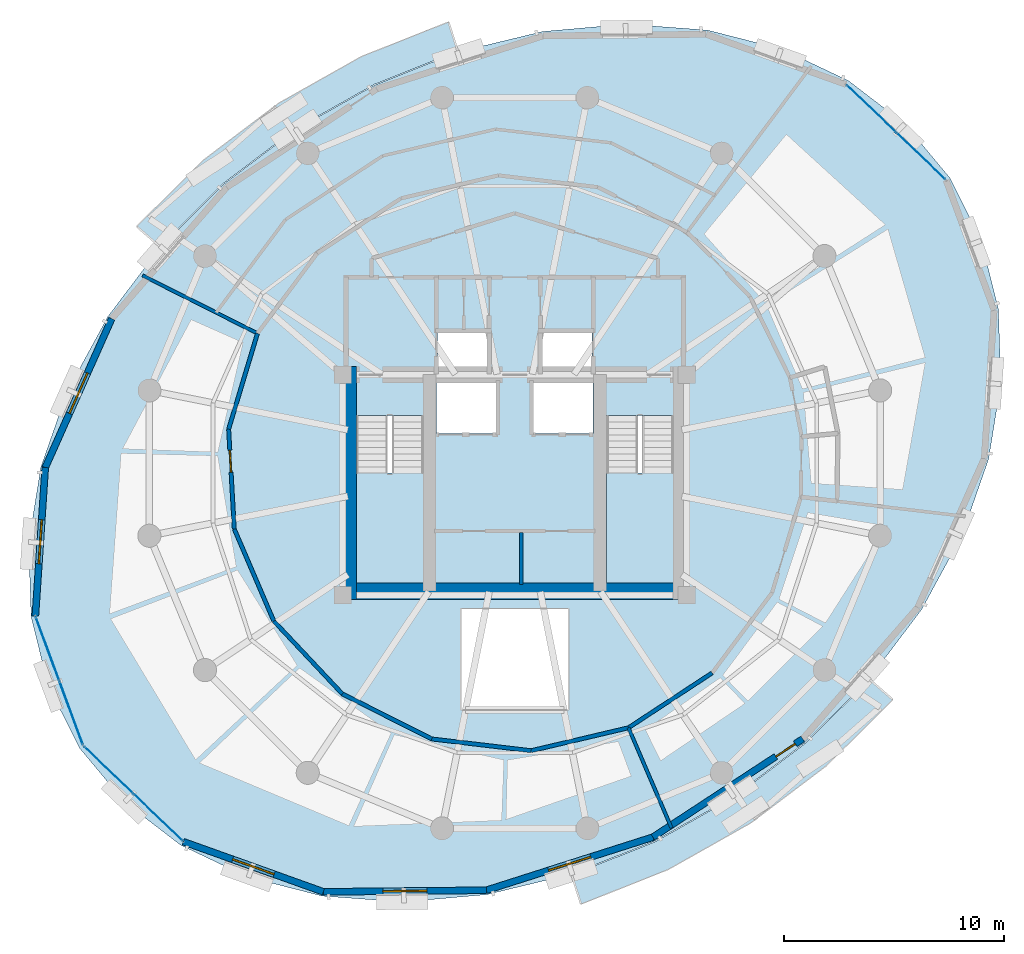
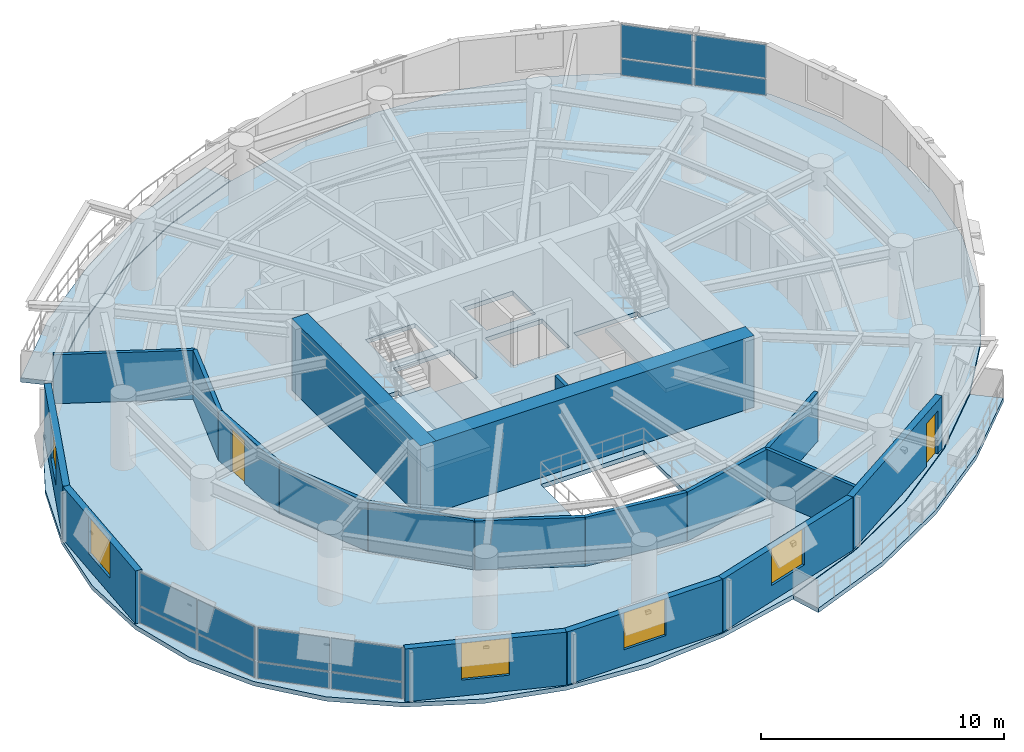
# One storey, part 7 of 12: 19 walls, 12 plates, 5 slabs, 5 windows, 2 doors, 7 openings, 5 elements without a shape of their own.
"""IFC4 building model written with IfcOpenShell, lengths in metres."""

from ifc_helpers import new_model, si_unit, direction, frame, frame_2d, origin, origin_2d, place, context, subcontext, project, spatial, polyline, rectangle, outline, extrude, material, layer, layer_set, type_object, element, fill, aggregate, save


model = new_model("IFC4")

# Units and contexts
model_context = context("Model", 3, precision=1e-05, world=origin(), true_north=direction((0.0, 1.0)))
body_context = subcontext(model_context, "Body", "Model", "MODEL_VIEW")
ifc_project = project(units=[si_unit("LENGTHUNIT", "METRE"), si_unit("AREAUNIT", "SQUARE_METRE"), si_unit("VOLUMEUNIT", "CUBIC_METRE"), si_unit("PLANEANGLEUNIT", "RADIAN"), si_unit("MASSUNIT", "GRAM", prefix="KILO"), si_unit("THERMODYNAMICTEMPERATUREUNIT", "KELVIN"), si_unit("POWERUNIT", "WATT")], contexts=[model_context])

# Site, building, storey
site_placement = place(None, origin())
site = spatial("IfcSite", under=ifc_project, at=site_placement, CompositionType="ELEMENT")
building_placement = place(site_placement, origin())
building = spatial("IfcBuilding", under=site, at=building_placement, Name="Ocrelia Relay Tower", CompositionType="ELEMENT")
storey_placement = place(building_placement, frame((0.0, 0.0, 173.60009765625)))
storey = spatial("IfcBuildingStorey", under=building, at=storey_placement, Name="L41", CompositionType="ELEMENT", Elevation=173.60009765625)

# Curtain wall, plates
ifc_material_1 = material(Name="Aluminium and solar-control low-E glass", Category="aluminium")
ifc_layer_1 = layer(ifc_material_1, 0.179931640625, Name="Aluminium and solar-control low-E glass")
ifc_layer_set_1 = layer_set([ifc_layer_1], Name="Aluminium and solar-control low-E glass")
curtain_wall_type = type_object("IfcCurtainWallType", Name="CW-SYS-Z3-CLOU", PredefinedType="NOTDEFINED", material=ifc_layer_set_1)
curtain_wall_1_placement = place(storey_placement, origin())
curtain_wall_1 = element("IfcCurtainWall", 1, at=curtain_wall_1_placement, inside=storey, type_object=curtain_wall_type, Name="L41 Elliptical Tower Curtain Wall Bay 01", PredefinedType="NOTDEFINED")
ifc_material_2 = material(Name="Clear double-glazed low-E glass", Category="glass")
ifc_layer_2 = layer(ifc_material_2, 0.031982421875, Name="Clear double-glazed low-E glass")
ifc_layer_set_2 = layer_set([ifc_layer_2], Name="Clear double-glazed low-E glass")
plate_type = type_object("IfcPlateType", Name="CW-SYS-Z3-CLOU-PNL", PredefinedType="CURTAIN_PANEL", material=ifc_layer_set_2)
plate_1_placement = place(storey_placement, frame((52.423095703125, 39.927978515625, 0.059814453125), z_axis=(0.0, 0.0, 1.0), x_axis=(-0.722128329985, 0.691759116335, 0.0)))
plate_1 = element("IfcPlate", 2, at=plate_1_placement, type_object=plate_type, Name="CW-Z3 panel 1.1", PredefinedType="CURTAIN_PANEL", context=body_context, shape_type="SweptSolid", body=[
    extrude(rectangle(XDim=3.0439453125, YDim=0.031982421875, at=origin_2d()), origin(), (0.0, 0.0, 1.0), 0.81005859375),
])
plate_2_placement = place(storey_placement, frame((52.423095703125, 39.927978515625, 0.929931640625), z_axis=(0.0, 0.0, 1.0), x_axis=(-0.722128329985, 0.691759116335, 0.0)))
plate_2 = element("IfcPlate", 3, at=plate_2_placement, type_object=plate_type, Name="CW-Z3 panel 1.2", PredefinedType="CURTAIN_PANEL", context=body_context, shape_type="SweptSolid", body=[
    extrude(rectangle(XDim=3.0439453125, YDim=0.031982421875, at=origin_2d()), origin(), (0.0, 0.0, 1.0), 1.669921875),
])
plate_3_placement = place(storey_placement, frame((50.17822265625, 42.078369140625, 0.059814453125), z_axis=(0.0, 0.0, 1.0), x_axis=(-0.722128329985, 0.691759116335, 0.0)))
plate_3 = element("IfcPlate", 4, at=plate_3_placement, type_object=plate_type, Name="CW-Z3 panel 2.1", PredefinedType="CURTAIN_PANEL", context=body_context, shape_type="SweptSolid", body=[
    extrude(rectangle(XDim=3.0439453125, YDim=0.031982421875, at=origin_2d()), origin(), (0.0, 0.0, 1.0), 0.81005859375),
])
plate_4_placement = place(storey_placement, frame((50.17822265625, 42.078369140625, 0.929931640625), z_axis=(0.0, 0.0, 1.0), x_axis=(-0.722128329985, 0.691759116335, 0.0)))
plate_4 = element("IfcPlate", 5, at=plate_4_placement, type_object=plate_type, Name="CW-Z3 panel 2.2", PredefinedType="CURTAIN_PANEL", context=body_context, shape_type="SweptSolid", body=[
    extrude(rectangle(XDim=3.0439453125, YDim=0.031982421875, at=origin_2d()), origin(), (0.0, 0.0, 1.0), 1.669921875),
])
aggregate(curtain_wall_1, [plate_1, plate_2, plate_3, plate_4])

curtain_wall_2_placement = place(storey_placement, origin())
curtain_wall_2 = element("IfcCurtainWall", 6, at=curtain_wall_2_placement, inside=storey, type_object=curtain_wall_type, Name="L41 Elliptical Tower Curtain Wall Bay 09", PredefinedType="NOTDEFINED")
plate_5_placement = place(storey_placement, frame((12.80419921875, 17.574951171875, 0.059814453125), z_axis=(0.0, 0.0, 1.0), x_axis=(0.346439160344, -0.938072442928, 0.0)))
plate_5 = element("IfcPlate", 7, at=plate_5_placement, type_object=plate_type, Name="CW-Z3 panel 1.1", PredefinedType="CURTAIN_PANEL", context=body_context, shape_type="SweptSolid", body=[
    extrude(rectangle(XDim=3.0439453125, YDim=0.031982421875, at=origin_2d()), origin(), (0.0, 0.0, 1.0), 0.81005859375),
])
plate_6_placement = place(storey_placement, frame((12.80419921875, 17.574951171875, 0.929931640625), z_axis=(0.0, 0.0, 1.0), x_axis=(0.346439160344, -0.938072442928, 0.0)))
plate_6 = element("IfcPlate", 8, at=plate_6_placement, type_object=plate_type, Name="CW-Z3 panel 1.2", PredefinedType="CURTAIN_PANEL", context=body_context, shape_type="SweptSolid", body=[
    extrude(rectangle(XDim=3.0439453125, YDim=0.031982421875, at=origin_2d()), origin(), (0.0, 0.0, 1.0), 1.669921875),
])
plate_7_placement = place(storey_placement, frame((13.881103515625, 14.658447265625, 0.059814453125), z_axis=(0.0, 0.0, 1.0), x_axis=(0.346439160344, -0.938072442928, 0.0)))
plate_7 = element("IfcPlate", 9, at=plate_7_placement, type_object=plate_type, Name="CW-Z3 panel 2.1", PredefinedType="CURTAIN_PANEL", context=body_context, shape_type="SweptSolid", body=[
    extrude(rectangle(XDim=3.0439453125, YDim=0.031982421875, at=origin_2d()), origin(), (0.0, 0.0, 1.0), 0.81005859375),
])
plate_8_placement = place(storey_placement, frame((13.881103515625, 14.658447265625, 0.929931640625), z_axis=(0.0, 0.0, 1.0), x_axis=(0.346439160344, -0.938072442928, 0.0)))
plate_8 = element("IfcPlate", 10, at=plate_8_placement, type_object=plate_type, Name="CW-Z3 panel 2.2", PredefinedType="CURTAIN_PANEL", context=body_context, shape_type="SweptSolid", body=[
    extrude(rectangle(XDim=3.0439453125, YDim=0.031982421875, at=origin_2d()), origin(), (0.0, 0.0, 1.0), 1.669921875),
])
aggregate(curtain_wall_2, [plate_5, plate_6, plate_7, plate_8])

curtain_wall_3_placement = place(storey_placement, origin())
curtain_wall_3 = element("IfcCurtainWall", 11, at=curtain_wall_3_placement, inside=storey, type_object=curtain_wall_type, Name="L41 Elliptical Tower Curtain Wall Bay 10", PredefinedType="NOTDEFINED")
plate_9_placement = place(storey_placement, frame((15.576904296875, 12.072021484375, 0.059814453125), z_axis=(0.0, 0.0, 1.0), x_axis=(0.722128329985, -0.691759116335, 0.0)))
plate_9 = element("IfcPlate", 12, at=plate_9_placement, type_object=plate_type, Name="CW-Z3 panel 1.1", PredefinedType="CURTAIN_PANEL", context=body_context, shape_type="SweptSolid", body=[
    extrude(rectangle(XDim=3.0439453125, YDim=0.031982421875, at=origin_2d()), origin(), (0.0, 0.0, 1.0), 0.81005859375),
])
plate_10_placement = place(storey_placement, frame((15.576904296875, 12.072021484375, 0.929931640625), z_axis=(0.0, 0.0, 1.0), x_axis=(0.722128329985, -0.691759116335, 0.0)))
plate_10 = element("IfcPlate", 13, at=plate_10_placement, type_object=plate_type, Name="CW-Z3 panel 1.2", PredefinedType="CURTAIN_PANEL", context=body_context, shape_type="SweptSolid", body=[
    extrude(rectangle(XDim=3.0439453125, YDim=0.031982421875, at=origin_2d()), origin(), (0.0, 0.0, 1.0), 1.669921875),
])
plate_11_placement = place(storey_placement, frame((17.82177734375, 9.921630859375, 0.059814453125), z_axis=(0.0, 0.0, 1.0), x_axis=(0.722128329985, -0.691759116335, 0.0)))
plate_11 = element("IfcPlate", 14, at=plate_11_placement, type_object=plate_type, Name="CW-Z3 panel 2.1", PredefinedType="CURTAIN_PANEL", context=body_context, shape_type="SweptSolid", body=[
    extrude(rectangle(XDim=3.0439453125, YDim=0.031982421875, at=origin_2d()), origin(), (0.0, 0.0, 1.0), 0.81005859375),
])
plate_12_placement = place(storey_placement, frame((17.82177734375, 9.921630859375, 0.929931640625), z_axis=(0.0, 0.0, 1.0), x_axis=(0.722128329985, -0.691759116335, 0.0)))
plate_12 = element("IfcPlate", 15, at=plate_12_placement, type_object=plate_type, Name="CW-Z3 panel 2.2", PredefinedType="CURTAIN_PANEL", context=body_context, shape_type="SweptSolid", body=[
    extrude(rectangle(XDim=3.0439453125, YDim=0.031982421875, at=origin_2d()), origin(), (0.0, 0.0, 1.0), 1.669921875),
])
aggregate(curtain_wall_3, [plate_9, plate_10, plate_11, plate_12])

# Slabs
ifc_material_3 = material(Name="Precast concrete C40/50", Category="concrete")
ifc_layer_3 = layer(ifc_material_3, 0.219970703125, Name="Precast concrete C40/50")
ifc_layer_set_3 = layer_set([ifc_layer_3], Name="Precast concrete C40/50")
slab_type_1 = type_object("IfcSlabType", Name="SL-BALC-220", PredefinedType="FLOOR", material=ifc_layer_set_3)
slab_1_placement = place(storey_placement, frame((0.0, 0.0, -0.22021484375)))
element("IfcSlab", 16, at=slab_1_placement, inside=storey, type_object=slab_type_1, Name="L41 Planted Loggia Balcony B1", PredefinedType="FLOOR", context=body_context, shape_type="SweptSolid", body=[
    extrude(outline(polyline([(31.41552734375, 44.67822265625), (29.5283203125, 43.9296875), (27.640869140625, 43.180908203125), (24.059326171875, 41.161865234375), (20.77978515625, 38.6826171875), (19.3408203125, 37.250244140625), (17.901611328125, 35.818115234375), (16.8515625, 36.734130859375), (18.35888671875, 38.234375), (19.8662109375, 39.734619140625), (23.295654296875, 42.326904296875), (27.04052734375, 44.438232421875), (29.017333984375, 45.222412109375), (30.994140625, 46.006591796875), (31.41552734375, 44.67822265625)])), origin(), (0.0, 0.0, 1.0), 0.22021484375),
])
slab_2_placement = place(storey_placement, frame((0.0, 0.0, -0.22021484375)))
element("IfcSlab", 17, at=slab_2_placement, inside=storey, type_object=slab_type_1, Name="L41 Planted Loggia Balcony B2", PredefinedType="FLOOR", context=body_context, shape_type="SweptSolid", body=[
    extrude(outline(polyline([(36.58447265625, 7.32177734375), (38.471923828125, 8.0703125), (40.359130859375, 8.819091796875), (43.940673828125, 10.838134765625), (47.22021484375, 13.3173828125), (48.659423828125, 14.74951171875), (50.098388671875, 16.181884765625), (51.1484375, 15.265869140625), (49.64111328125, 13.765625), (48.1337890625, 12.265380859375), (44.704345703125, 9.673095703125), (40.95947265625, 7.561767578125), (38.982666015625, 6.777587890625), (37.005859375, 5.993408203125), (36.58447265625, 7.32177734375)])), origin(), (0.0, 0.0, 1.0), 0.22021484375),
])
ifc_material_4 = material(Name="Concrete C50/60", Category="concrete")
ifc_layer_4 = layer(ifc_material_4, 0.219970703125, Name="Concrete C50/60")
ifc_layer_set_4 = layer_set([ifc_layer_4], Name="Concrete C50/60")
slab_type_2 = type_object("IfcSlabType", Name="SL-FLR-220", PredefinedType="FLOOR", material=ifc_layer_set_4)
slab_3_placement = place(storey_placement, frame((0.0, 0.0, -0.22021484375)))
element("IfcSlab", 18, at=slab_3_placement, inside=storey, type_object=slab_type_2, Name="L41 Elliptical Tower Floor Slab", PredefinedType="FLOOR", context=body_context, shape_type="SweptSolid", body=[
    extrude(outline(polyline([(53.736328125, 38.939697265625), (51.713134765625, 41.37158203125), (49.15185546875, 43.33642578125), (46.130126953125, 44.7744140625), (42.73974609375, 45.64208984375), (39.083984375, 45.912841796875), (35.273681640625, 45.57861328125), (31.424560546875, 44.649658203125), (27.65380859375, 43.15380859375), (24.075927734375, 41.13671875), (20.799560546875, 38.659912109375), (17.92431640625, 35.79833984375), (15.537353515625, 32.638916015625), (13.71142578125, 29.278076171875), (12.501953125, 25.8173828125), (11.94580078125, 22.3623046875), (12.0595703125, 19.017578125), (12.840087890625, 15.88525390625), (14.263671875, 13.060302734375), (16.286865234375, 10.62841796875), (18.84814453125, 8.66357421875), (21.869873046875, 7.2255859375), (25.26025390625, 6.35791015625), (28.916015625, 6.087158203125), (32.726318359375, 6.42138671875), (36.575439453125, 7.350341796875), (40.34619140625, 8.84619140625), (43.924072265625, 10.86328125), (47.200439453125, 13.340087890625), (50.07568359375, 16.20166015625), (52.462646484375, 19.361083984375), (54.28857421875, 22.721923828125), (55.498046875, 26.1826171875), (56.05419921875, 29.6376953125), (55.9404296875, 32.982421875), (55.159912109375, 36.11474609375), (53.736328125, 38.939697265625)]), holes=[polyline([(26.81005859375, 28.14990234375), (26.81005859375, 20.550048828125), (29.85009765625, 20.550048828125), (29.85009765625, 28.14990234375), (26.81005859375, 28.14990234375)]), polyline([(38.159912109375, 28.14990234375), (38.159912109375, 20.550048828125), (41.199951171875, 20.550048828125), (41.199951171875, 28.14990234375), (38.159912109375, 28.14990234375)]), polyline([(30.4599609375, 27.35009765625), (33.159912109375, 27.35009765625), (33.159912109375, 29.64990234375), (30.4599609375, 29.64990234375), (30.4599609375, 27.35009765625)]), polyline([(34.840087890625, 27.35009765625), (37.5400390625, 27.35009765625), (37.5400390625, 29.64990234375), (34.840087890625, 29.64990234375), (34.840087890625, 27.35009765625)]), polyline([(30.5, 30.10009765625), (32.85009765625, 30.10009765625), (32.85009765625, 32.0), (30.5, 32.0), (30.5, 30.10009765625)]), polyline([(35.14990234375, 30.10009765625), (37.5, 30.10009765625), (37.5, 32.0), (35.14990234375, 32.0), (35.14990234375, 30.10009765625)]), polyline([(31.550048828125, 14.800048828125), (36.449951171875, 14.800048828125), (36.449951171875, 19.39990234375), (31.550048828125, 19.39990234375), (31.550048828125, 14.800048828125)])]), origin(), (0.0, 0.0, 1.0), 0.22021484375),
])

# Stair, slab
stair_type = type_object("IfcStairType", Name="ST-DL-1420-R180", PredefinedType="HALF_TURN_STAIR", material=ifc_material_4)
stair_1_placement = place(storey_placement, origin())
stair_1 = element("IfcStair", 19, at=stair_1_placement, inside=storey, type_object=stair_type, Name="L41 West Core Exit Stair ST1", PredefinedType="HALF_TURN_STAIR")
ifc_layer_5 = layer(ifc_material_4, 0.199951171875, Name="Concrete C50/60")
ifc_layer_set_5 = layer_set([ifc_layer_5], Name="Concrete C50/60")
slab_type_3 = type_object("IfcSlabType", Name="SL-LANDING-200", PredefinedType="LANDING", material=ifc_layer_set_5)
slab_4_placement = place(storey_placement, frame((0.0, 0.0, 1.599853515625)))
slab_4 = element("IfcSlab", 20, at=slab_4_placement, type_object=slab_type_3, Name="ST1 landing 1", PredefinedType="LANDING", context=body_context, shape_type="SweptSolid", body=[
    extrude(outline(polyline([(26.81005859375, 25.5400390625), (26.81005859375, 20.550048828125), (29.85009765625, 20.550048828125), (29.85009765625, 25.5400390625), (26.81005859375, 25.5400390625)])), origin(), (0.0, 0.0, 1.0), 0.199951171875),
])
aggregate(stair_1, [slab_4])

stair_2_placement = place(storey_placement, origin())
stair_2 = element("IfcStair", 21, at=stair_2_placement, inside=storey, type_object=stair_type, Name="L41 East Core Exit Stair ST2", PredefinedType="HALF_TURN_STAIR")
slab_5_placement = place(storey_placement, frame((0.0, 0.0, 1.599853515625)))
slab_5 = element("IfcSlab", 22, at=slab_5_placement, type_object=slab_type_3, Name="ST2 landing 1", PredefinedType="LANDING", context=body_context, shape_type="SweptSolid", body=[
    extrude(outline(polyline([(38.159912109375, 25.5400390625), (38.159912109375, 20.550048828125), (41.199951171875, 20.550048828125), (41.199951171875, 25.5400390625), (38.159912109375, 25.5400390625)])), origin(), (0.0, 0.0, 1.0), 0.199951171875),
])
aggregate(stair_2, [slab_5])

# Walls
ifc_material_5 = material(Name="Concrete C60/75", Category="concrete")
ifc_layer_6 = layer(ifc_material_5, 0.75, Name="Concrete C60/75")
ifc_layer_set_6 = layer_set([ifc_layer_6], Name="Concrete C60/75")
wall_type_1 = type_object("IfcWallType", Name="CW-CORE-750", PredefinedType="SHEAR", material=ifc_layer_set_6)
wall_1_placement = place(storey_placement, frame((26.072021484375, 20.18701171875, 0.0), z_axis=(0.0, 0.0, 1.0), x_axis=(1.0, 0.0, 0.0)))
element("IfcWall", 23, at=wall_1_placement, inside=storey, type_object=wall_type_1, Name="L41 Core Shear Wall S", PredefinedType="SHEAR", context=body_context, shape_type="SweptSolid", body=[
    extrude(rectangle(XDim=15.865966796875, YDim=0.75, at=frame_2d((7.93310546875, 0.0))), origin(), (0.0, 0.0, 1.0), 3.599853515625),
])
wall_2_placement = place(storey_placement, frame((26.447021484375, 19.81201171875, 0.0), z_axis=(0.0, 0.0, 1.0), x_axis=(0.0, 1.0, 0.0)))
element("IfcWall", 24, at=wall_2_placement, inside=storey, type_object=wall_type_1, Name="L41 Core Shear Wall W", PredefinedType="SHEAR", context=body_context, shape_type="SweptSolid", body=[
    extrude(rectangle(XDim=10.575927734375, YDim=0.75, at=frame_2d((5.2880859375, 0.0))), origin(), (0.0, 0.0, 1.0), 3.599853515625),
])
ifc_material_6 = material(Name="Gypsum Fireboard Partition EI60", Category="gypsum")
ifc_layer_7 = layer(ifc_material_6, 0.179931640625, Name="Gypsum Fireboard Partition EI60")
ifc_layer_set_7 = layer_set([ifc_layer_7], Name="Gypsum Fireboard Partition EI60")
wall_type_2 = type_object("IfcWallType", Name="W-CORR-EI60-180", PredefinedType="PARTITIONING", material=ifc_layer_set_7)
wall_3_placement = place(storey_placement, frame((22.328857421875, 31.8828125, 0.0), z_axis=(0.0, 0.0, 1.0), x_axis=(-0.288226064997, -0.957562392461, 0.0)))
element("IfcWall", 25, at=wall_3_placement, inside=storey, type_object=wall_type_2, Name="L41 Architecture Seminar Room Corridor Partition 1", PredefinedType="PARTITIONING", context=body_context, shape_type="SweptSolid", body=[
    extrude(rectangle(XDim=4.539306640625, YDim=0.179931640625, at=frame_2d((2.26953125, 0.0))), origin(), (0.0, 0.0, 1.0), 2.4599609375),
])

# Wall, opening, door
wall_4_placement = place(storey_placement, frame((21.0205078125, 27.5361328125, 0.0), z_axis=(0.0, 0.0, 1.0), x_axis=(0.056691353657, -0.998391751979, 0.0)))
wall_4 = element("IfcWall", 26, at=wall_4_placement, inside=storey, type_object=wall_type_2, Name="L41 Architecture Seminar Room Corridor Partition 2", PredefinedType="PARTITIONING", context=body_context, shape_type="SweptSolid", body=[
    extrude(rectangle(XDim=4.5390625, YDim=0.179931640625, at=frame_2d((2.26953125, 0.0))), origin(), (0.0, 0.0, 1.0), 2.4599609375),
])
opening_1_placement = place(wall_4_placement, frame((0.959716796875, 0.0, 0.0)))
opening_1 = element("IfcOpeningElement", 27, at=opening_1_placement, cuts=wall_4, Name="Opening D-RM100", PredefinedType="OPENING", context=body_context, shape_type="SweptSolid", body=[
    extrude(rectangle(XDim=1.0, YDim=2.14990234375, at=frame_2d((0.5, 1.074951171875))), frame((0.0, 0.10009765625, 0.0), z_axis=(0.0, -1.0, 0.0), x_axis=(1.0, 0.0, 0.0)), (0.0, 0.0, 1.0), 0.199951171875),
])
ifc_material_7 = material(Name="Acoustic oak veneer fire door", Category="wood")
door_type_1 = type_object("IfcDoorType", Name="DR-ROOM-FD60-1000", OperationType="NOTDEFINED", PredefinedType="DOOR", material=ifc_material_7)
door_1_placement = place(opening_1_placement, origin())
door_1 = element("IfcDoor", 28, at=door_1_placement, inside=storey, type_object=door_type_1, Name="L41 Architecture Seminar Room Entrance Door", OperationType="SINGLE_SWING_LEFT", OverallHeight=2.14990234375, OverallWidth=1.0, PredefinedType="DOOR", context=body_context, shape_type="SweptSolid", body=[
    extrude(rectangle(XDim=1.0, YDim=2.14990234375, at=frame_2d((0.5, 1.074951171875))), frame((0.0, 0.02490234375, 0.0), z_axis=(0.0, -1.0, 0.0), x_axis=(1.0, 0.0, 0.0)), (0.0, 0.0, 1.0), 0.050048828125),
])
fill(opening_1, door_1)

# Walls
for number, where, z_axis, x_axis, name in (
    (29, (21.27783203125, 23.00439453125, 0.0), (0.0, 0.0, 1.0), (0.394724059609, -0.918799715262, 0.0), "L41 Architecture Seminar Room Corridor Partition 3"),
    (30, (23.069580078125, 18.833740234375, 0.0), (0.0, 0.0, 1.0), (0.685210337842, -0.72834524294, 0.0), "L41 Architecture Seminar Room Corridor Partition 4"),
    (31, (26.179931640625, 15.527587890625, 0.0), (0.0, 0.0, 1.0), (0.892991933776, -0.450072667701, 0.0), "L41 Architecture Seminar Room Corridor Partition 5"),
):
    element("IfcWall", number, at=place(storey_placement, frame(where, z_axis=z_axis, x_axis=x_axis)), inside=storey, type_object=wall_type_2, Name=name, PredefinedType="PARTITIONING", context=body_context, shape_type="SweptSolid", body=[
        extrude(rectangle(XDim=4.539306640625, YDim=0.179931640625, at=frame_2d((2.26953125, 0.0))), origin(), (0.0, 0.0, 1.0), 2.4599609375),
    ])
for number, where, z_axis, x_axis, name in (
    (32, (30.2333984375, 13.484619140625, 0.0), (0.0, 0.0, 1.0), (0.993063685104, -0.117577707612, 0.0), "L41 Architecture Seminar Room Corridor Partition 6"),
    (33, (34.740966796875, 12.950927734375, 0.0), (0.0, 0.0, 1.0), (0.973370592217, 0.229237192022, 0.0), "L41 Architecture Seminar Room Corridor Partition 7"),
):
    element("IfcWall", number, at=place(storey_placement, frame(where, z_axis=z_axis, x_axis=x_axis)), inside=storey, type_object=wall_type_2, Name=name, PredefinedType="PARTITIONING", context=body_context, shape_type="SweptSolid", body=[
        extrude(rectangle(XDim=4.5390625, YDim=0.179931640625, at=frame_2d((2.26953125, 0.0))), origin(), (0.0, 0.0, 1.0), 2.4599609375),
    ])
wall_5_placement = place(storey_placement, frame((39.1591796875, 13.991455078125, 0.0), z_axis=(0.0, 0.0, 1.0), x_axis=(0.836295307945, 0.548279269998, 0.0)))
element("IfcWall", 34, at=wall_5_placement, inside=storey, type_object=wall_type_2, Name="L41 Shift Staff Lounge Corridor Partition 1", PredefinedType="PARTITIONING", context=body_context, shape_type="SweptSolid", body=[
    extrude(rectangle(XDim=4.539306640625, YDim=0.179931640625, at=frame_2d((2.26953125, 0.0))), origin(), (0.0, 0.0, 1.0), 2.4599609375),
])

# Wall, opening, window
ifc_material_8 = material(Name="Precast concrete C40/50 with oxide terracotta", Category="masonry")
ifc_layer_8 = layer(ifc_material_8, 0.300048828125, Name="Precast concrete C40/50 with oxide terracotta")
ifc_layer_set_8 = layer_set([ifc_layer_8], Name="Precast concrete C40/50 with oxide terracotta")
wall_type_3 = type_object("IfcWallType", Name="W-EXT-TERR-300", PredefinedType="SOLIDWALL", material=ifc_layer_set_8)
wall_6_placement = place(storey_placement, frame((15.7158203125, 32.549072265625, 0.0), z_axis=(0.0, 0.0, 1.0), x_axis=(-0.407577130337, -0.913170785136, 0.0)))
wall_6 = element("IfcWall", 35, at=wall_6_placement, inside=storey, type_object=wall_type_3, Name="L41 Oxide Terracotta Facade Wall 07", PredefinedType="SOLIDWALL", context=body_context, shape_type="SweptSolid", body=[
    extrude(rectangle(XDim=7.397705078125, YDim=0.300048828125, at=frame_2d((3.69873046875, 0.0))), origin(), (0.0, 0.0, 1.0), 2.659912109375),
])
opening_2_placement = place(wall_6_placement, frame((2.698974609375, 0.0, 0.800048828125)))
opening_2 = element("IfcOpeningElement", 36, at=opening_2_placement, cuts=wall_6, Name="Opening W-03", PredefinedType="OPENING", context=body_context, shape_type="SweptSolid", body=[
    extrude(rectangle(XDim=2.0, YDim=1.85009765625, at=frame_2d((1.0, 0.925048828125))), frame((0.0, 0.16015625, 0.0), z_axis=(0.0, -1.0, 0.0), x_axis=(1.0, 0.0, 0.0)), (0.0, 0.0, 1.0), 0.320068359375),
])
window_type = type_object("IfcWindowType", Name="WIN-Z3-2000x2200", PartitioningType="DOUBLE_PANEL_VERTICAL", PredefinedType="WINDOW", material=ifc_material_2)
window_1_placement = place(opening_2_placement, origin())
window_1 = element("IfcWindow", 37, at=window_1_placement, inside=storey, type_object=window_type, Name="L41 Facade Module Window 07", OverallHeight=1.85009765625, OverallWidth=2.0, PartitioningType="SINGLE_PANEL", PredefinedType="WINDOW", context=body_context, shape_type="SweptSolid", body=[
    extrude(rectangle(XDim=2.0, YDim=1.85009765625, at=frame_2d((1.0, 0.925048828125))), frame((0.0, 0.030029296875, 0.0), z_axis=(0.0, -1.0, 0.0), x_axis=(1.0, 0.0, 0.0)), (0.0, 0.0, 1.0), 0.06005859375),
])
fill(opening_2, window_1)

wall_7_placement = place(storey_placement, frame((12.70068359375, 25.793701171875, 0.0), z_axis=(0.0, 0.0, 1.0), x_axis=(-0.066168247178, -0.997808480153, 0.0)))
wall_7 = element("IfcWall", 38, at=wall_7_placement, inside=storey, type_object=wall_type_3, Name="L41 Oxide Terracotta Facade Wall 08", PredefinedType="SOLIDWALL", context=body_context, shape_type="SweptSolid", body=[
    extrude(rectangle(XDim=6.744873046875, YDim=0.300048828125, at=frame_2d((3.37255859375, 0.0))), origin(), (0.0, 0.0, 1.0), 2.659912109375),
])
opening_3_placement = place(wall_7_placement, frame((2.3720703125, 0.0, 0.800048828125)))
opening_3 = element("IfcOpeningElement", 39, at=opening_3_placement, cuts=wall_7, Name="Opening W-03", PredefinedType="OPENING", context=body_context, shape_type="SweptSolid", body=[
    extrude(rectangle(XDim=2.0, YDim=1.85009765625, at=frame_2d((1.0, 0.925048828125))), frame((0.0, 0.16015625, 0.0), z_axis=(0.0, -1.0, 0.0), x_axis=(1.0, 0.0, 0.0)), (0.0, 0.0, 1.0), 0.320068359375),
])
window_2_placement = place(opening_3_placement, origin())
window_2 = element("IfcWindow", 40, at=window_2_placement, inside=storey, type_object=window_type, Name="L41 Facade Module Window 08", OverallHeight=1.85009765625, OverallWidth=2.0, PartitioningType="SINGLE_PANEL", PredefinedType="WINDOW", context=body_context, shape_type="SweptSolid", body=[
    extrude(rectangle(XDim=2.0, YDim=1.85009765625, at=frame_2d((1.0, 0.925048828125))), frame((0.0, 0.030029296875, 0.0), z_axis=(0.0, -1.0, 0.0), x_axis=(1.0, 0.0, 0.0)), (0.0, 0.0, 1.0), 0.06005859375),
])
fill(opening_3, window_2)

wall_8_placement = place(storey_placement, frame((18.9677734375, 8.82373046875, 0.0), z_axis=(0.0, 0.0, 1.0), x_axis=(0.941435254696, -0.337193803643, 0.0)))
wall_8 = element("IfcWall", 41, at=wall_8_placement, inside=storey, type_object=wall_type_3, Name="L41 Oxide Terracotta Facade Wall 11", PredefinedType="SOLIDWALL", context=body_context, shape_type="SweptSolid", body=[
    extrude(rectangle(XDim=6.7451171875, YDim=0.300048828125, at=frame_2d((3.37255859375, 0.0))), origin(), (0.0, 0.0, 1.0), 2.659912109375),
])
opening_4_placement = place(wall_8_placement, frame((2.373046875, 0.0, 0.800048828125)))
opening_4 = element("IfcOpeningElement", 42, at=opening_4_placement, cuts=wall_8, Name="Opening W-03", PredefinedType="OPENING", context=body_context, shape_type="SweptSolid", body=[
    extrude(rectangle(XDim=2.0, YDim=1.85009765625, at=frame_2d((1.0, 0.925048828125))), frame((0.0, 0.16015625, 0.0), z_axis=(0.0, -1.0, 0.0), x_axis=(1.0, 0.0, 0.0)), (0.0, 0.0, 1.0), 0.320068359375),
])
window_3_placement = place(opening_4_placement, origin())
window_3 = element("IfcWindow", 43, at=window_3_placement, inside=storey, type_object=window_type, Name="L41 Facade Module Window 11", OverallHeight=1.85009765625, OverallWidth=2.0, PartitioningType="SINGLE_PANEL", PredefinedType="WINDOW", context=body_context, shape_type="SweptSolid", body=[
    extrude(rectangle(XDim=2.0, YDim=1.85009765625, at=frame_2d((1.0, 0.925048828125))), frame((0.0, 0.030029296875, 0.0), z_axis=(0.0, -1.0, 0.0), x_axis=(1.0, 0.0, 0.0)), (0.0, 0.0, 1.0), 0.06005859375),
])
fill(opening_4, window_3)

wall_9_placement = place(storey_placement, frame((25.31787109375, 6.54931640625, 0.0), z_axis=(0.0, 0.0, 1.0), x_axis=(0.9999529264, 0.009702833769, 0.0)))
wall_9 = element("IfcWall", 44, at=wall_9_placement, inside=storey, type_object=wall_type_3, Name="L41 Oxide Terracotta Facade Wall 12", PredefinedType="SOLIDWALL", context=body_context, shape_type="SweptSolid", body=[
    extrude(rectangle(XDim=7.3974609375, YDim=0.300048828125, at=frame_2d((3.69873046875, 0.0))), origin(), (0.0, 0.0, 1.0), 2.659912109375),
])
opening_5_placement = place(wall_9_placement, frame((2.698974609375, 0.0, 0.800048828125)))
opening_5 = element("IfcOpeningElement", 45, at=opening_5_placement, cuts=wall_9, Name="Opening W-03", PredefinedType="OPENING", context=body_context, shape_type="SweptSolid", body=[
    extrude(rectangle(XDim=2.0, YDim=1.85009765625, at=frame_2d((1.0, 0.925048828125))), frame((0.0, 0.16015625, 0.0), z_axis=(0.0, -1.0, 0.0), x_axis=(1.0, 0.0, 0.0)), (0.0, 0.0, 1.0), 0.320068359375),
])
window_4_placement = place(opening_5_placement, origin())
window_4 = element("IfcWindow", 46, at=window_4_placement, inside=storey, type_object=window_type, Name="L41 Facade Module Window 12", OverallHeight=1.85009765625, OverallWidth=2.0, PartitioningType="SINGLE_PANEL", PredefinedType="WINDOW", context=body_context, shape_type="SweptSolid", body=[
    extrude(rectangle(XDim=2.0, YDim=1.85009765625, at=frame_2d((1.0, 0.925048828125))), frame((0.0, 0.030029296875, 0.0), z_axis=(0.0, -1.0, 0.0), x_axis=(1.0, 0.0, 0.0)), (0.0, 0.0, 1.0), 0.06005859375),
])
fill(opening_5, window_4)

wall_10_placement = place(storey_placement, frame((32.715087890625, 6.62109375, 0.0), z_axis=(0.0, 0.0, 1.0), x_axis=(0.952705891998, 0.303893868566, 0.0)))
wall_10 = element("IfcWall", 47, at=wall_10_placement, inside=storey, type_object=wall_type_3, Name="L41 Oxide Terracotta Facade Wall 13", PredefinedType="SOLIDWALL", context=body_context, shape_type="SweptSolid", body=[
    extrude(rectangle(XDim=7.927001953125, YDim=0.300048828125, at=frame_2d((3.96337890625, 0.0))), origin(), (0.0, 0.0, 1.0), 2.659912109375),
])
opening_6_placement = place(wall_10_placement, frame((2.964111328125, 0.0, 0.800048828125)))
opening_6 = element("IfcOpeningElement", 48, at=opening_6_placement, cuts=wall_10, Name="Opening W-03", PredefinedType="OPENING", context=body_context, shape_type="SweptSolid", body=[
    extrude(rectangle(XDim=2.0, YDim=1.85009765625, at=frame_2d((1.0, 0.925048828125))), frame((0.0, 0.16015625, 0.0), z_axis=(0.0, -1.0, 0.0), x_axis=(1.0, 0.0, 0.0)), (0.0, 0.0, 1.0), 0.320068359375),
])
window_5_placement = place(opening_6_placement, origin())
window_5 = element("IfcWindow", 49, at=window_5_placement, inside=storey, type_object=window_type, Name="L41 Facade Module Window 13", OverallHeight=1.85009765625, OverallWidth=2.0, PartitioningType="SINGLE_PANEL", PredefinedType="WINDOW", context=body_context, shape_type="SweptSolid", body=[
    extrude(rectangle(XDim=2.0, YDim=1.85009765625, at=frame_2d((1.0, 0.925048828125))), frame((0.0, 0.030029296875, 0.0), z_axis=(0.0, -1.0, 0.0), x_axis=(1.0, 0.0, 0.0)), (0.0, 0.0, 1.0), 0.06005859375),
])
fill(opening_6, window_5)

# Wall, opening, door
wall_11_placement = place(storey_placement, frame((40.26708984375, 9.030029296875, 0.0), z_axis=(0.0, 0.0, 1.0), x_axis=(0.836291563278, 0.54828498173, 0.0)))
wall_11 = element("IfcWall", 50, at=wall_11_placement, inside=storey, type_object=wall_type_3, Name="L41 Oxide Terracotta Facade Wall 14", PredefinedType="SOLIDWALL", context=body_context, shape_type="SweptSolid", body=[
    extrude(rectangle(XDim=8.126708984375, YDim=0.300048828125, at=frame_2d((4.0634765625, 0.0))), origin(), (0.0, 0.0, 1.0), 2.659912109375),
])
opening_7_placement = place(wall_11_placement, frame((6.669921875, 0.0, 0.0)))
opening_7 = element("IfcOpeningElement", 51, at=opening_7_placement, cuts=wall_11, Name="Opening DB-105", PredefinedType="OPENING", context=body_context, shape_type="SweptSolid", body=[
    extrude(rectangle(XDim=1.050048828125, YDim=2.14990234375, at=frame_2d((0.52490234375, 1.074951171875))), frame((0.0, 0.16015625, 0.0), z_axis=(0.0, -1.0, 0.0), x_axis=(1.0, 0.0, 0.0)), (0.0, 0.0, 1.0), 0.320068359375),
])
ifc_material_9 = material(Name="Thermally broken aluminium and clear glass", Category="aluminium")
door_type_2 = type_object("IfcDoorType", Name="DR-BALC-1050", OperationType="NOTDEFINED", PredefinedType="DOOR", material=ifc_material_9)
door_2_placement = place(opening_7_placement, origin())
door_2 = element("IfcDoor", 52, at=door_2_placement, inside=storey, type_object=door_type_2, Name="L41 Planted Loggia Balcony Door B2", OperationType="SINGLE_SWING_LEFT", OverallHeight=2.14990234375, OverallWidth=1.050048828125, PredefinedType="DOOR", context=body_context, shape_type="SweptSolid", body=[
    extrude(rectangle(XDim=1.050048828125, YDim=2.14990234375, at=frame_2d((0.52490234375, 1.074951171875))), frame((0.0, 0.02490234375, 0.0), z_axis=(0.0, -1.0, 0.0), x_axis=(1.0, 0.0, 0.0)), (0.0, 0.0, 1.0), 0.050048828125),
])
fill(opening_7, door_2)

# Walls
ifc_material_10 = material(Name="Acoustic Fireboard Partition EI60", Category="gypsum")
ifc_layer_9 = layer(ifc_material_10, 0.14990234375, Name="Acoustic Fireboard Partition EI60")
ifc_layer_set_9 = layer_set([ifc_layer_9], Name="Acoustic Fireboard Partition EI60")
wall_type_4 = type_object("IfcWallType", Name="W-PART-150", PredefinedType="PARTITIONING", material=ifc_layer_set_9)
wall_12_placement = place(storey_placement, frame((34.2900390625, 20.5, 0.0), z_axis=(0.0, 0.0, 1.0), x_axis=(0.0, 1.0, 0.0)))
element("IfcWall", 53, at=wall_12_placement, inside=storey, type_object=wall_type_4, Name="L41 Reclaimed Core Dividing Wall", PredefinedType="PARTITIONING", context=body_context, shape_type="SweptSolid", body=[
    extrude(rectangle(XDim=2.340087890625, YDim=0.14990234375, at=frame_2d((1.169921875, 0.0))), origin(), (0.0, 0.0, 1.0), 2.4599609375),
])
wall_13_placement = place(storey_placement, frame((22.328857421875, 31.8828125, 0.0), z_axis=(0.0, 0.0, 1.0), x_axis=(-0.892992222324, 0.450072095191, 0.0)))
element("IfcWall", 54, at=wall_13_placement, inside=storey, type_object=wall_type_4, Name="L41 Cybersecurity Conference Room Radial Partition", PredefinedType="PARTITIONING", context=body_context, shape_type="SweptSolid", body=[
    extrude(rectangle(XDim=5.83740234375, YDim=0.14990234375, at=frame_2d((2.918701171875, 0.0))), origin(), (0.0, 0.0, 1.0), 2.4599609375),
])
wall_14_placement = place(storey_placement, frame((39.1591796875, 13.991455078125, 0.0), z_axis=(0.0, 0.0, 1.0), x_axis=(0.394765555281, -0.918781887264, 0.0)))
element("IfcWall", 55, at=wall_14_placement, inside=storey, type_object=wall_type_4, Name="L41 Architecture Seminar Room Radial Partition", PredefinedType="PARTITIONING", context=body_context, shape_type="SweptSolid", body=[
    extrude(rectangle(XDim=4.943115234375, YDim=0.14990234375, at=frame_2d((2.4716796875, 0.0))), origin(), (0.0, 0.0, 1.0), 2.4599609375),
])

save(model, "model.ifc")
